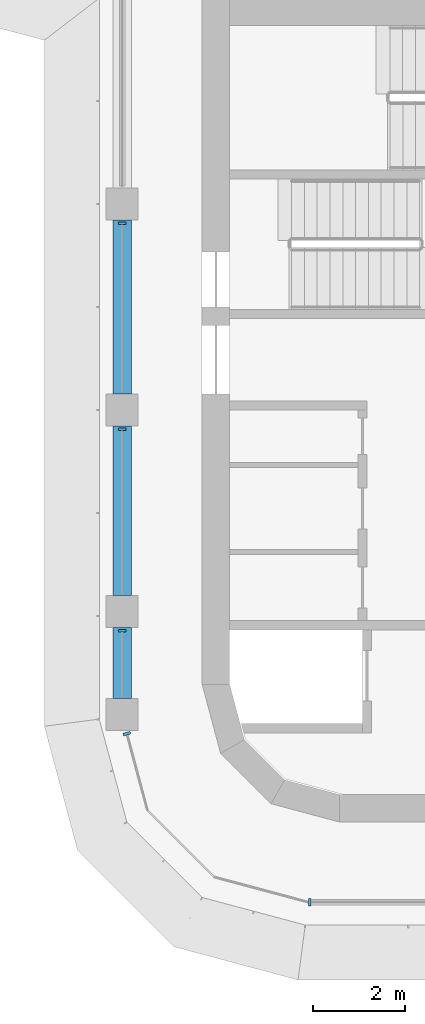
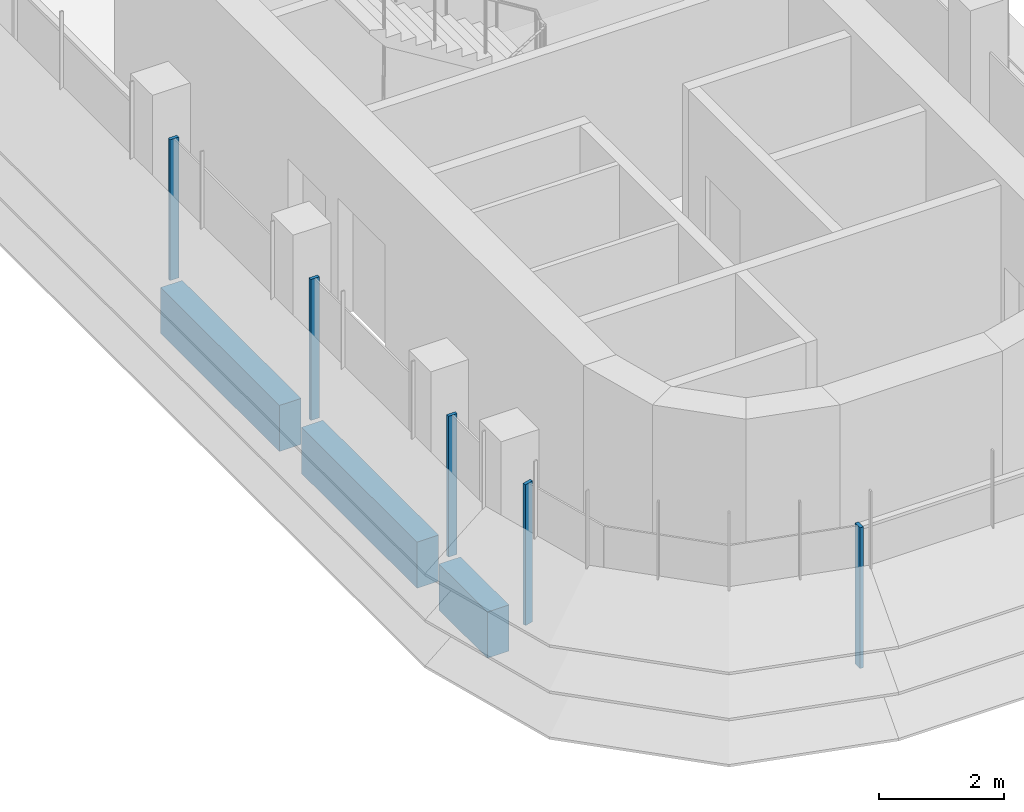
# One storey, part 2 of 19: 5 members, 3 beams, 3 elements without a shape of their own.
"""IFC4 building model written with IfcOpenShell, lengths in metres."""

from ifc_helpers import new_model, si_unit, direction, frame, origin, origin_2d, place, context, subcontext, project, spatial, polyline, rectangle, outline, extrude, source, transform, mapped, material, material_profile, profile_set, type_object, element, aggregate, save


model = new_model("IFC4")

# Units and contexts
model_context = context("Model", 3, precision=1e-05, world=origin(), true_north=direction((0.0, 1.0)))
body_context = subcontext(model_context, "Body", "Model", "MODEL_VIEW")
ifc_project = project(units=[si_unit("LENGTHUNIT", "METRE"), si_unit("AREAUNIT", "SQUARE_METRE"), si_unit("VOLUMEUNIT", "CUBIC_METRE"), si_unit("PLANEANGLEUNIT", "RADIAN"), si_unit("MASSUNIT", "GRAM", prefix="KILO")], contexts=[model_context])

# Site, building, storey
site_placement = place(None, origin())
site = spatial("IfcSite", under=ifc_project, at=site_placement, CompositionType="ELEMENT")
building_placement = place(site_placement, origin())
building = spatial("IfcBuilding", under=site, at=building_placement, Name="Zarbagh Exchange Tower", CompositionType="ELEMENT")
storey_placement = place(building_placement, frame((0.0, 0.0, 237.199951171875)))
storey = spatial("IfcBuildingStorey", under=building, at=storey_placement, Name="L58", CompositionType="ELEMENT", Elevation=237.199951171875)

# Beams
ifc_material_1 = material(Name="Concrete C50/60", Category="concrete")
ifc_material_profile = material_profile(ifc_material_1, rectangle(XDim=0.39990234375, YDim=0.89990234375, at=origin_2d()), Name="RC spandrel beam 400 x 900 C50/60")
ifc_profile_set = profile_set([ifc_material_profile], Name="Concrete C50/60")
beam_type = type_object("IfcBeamType", Name="RC spandrel beam 400 x 900 C50/60", PredefinedType="SPANDREL", material=ifc_profile_set)
beam_1_placement = place(storey_placement, frame((-6.25, -26.550048828125, -0.599853515625), z_axis=(0.0, 1.0, 0.0), x_axis=(-1.0, 0.0, 0.0)))
element("IfcBeam", 1, at=beam_1_placement, inside=storey, type_object=beam_type, Name="RC spandrel beam", PredefinedType="SPANDREL", context=body_context, shape_type="SweptSolid", body=[
    extrude(rectangle(XDim=0.39990234375, YDim=0.89990234375, at=origin_2d()), origin(), (0.0, 0.0, 1.0), 1.550048828125),
])
beam_2_placement = place(storey_placement, frame((-6.25, -24.300048828125, -0.599853515625), z_axis=(0.0, 1.0, 0.0), x_axis=(-1.0, 0.0, 0.0)))
element("IfcBeam", 2, at=beam_2_placement, inside=storey, type_object=beam_type, Name="RC spandrel beam", PredefinedType="SPANDREL", context=body_context, shape_type="SweptSolid", body=[
    extrude(rectangle(XDim=0.39990234375, YDim=0.89990234375, at=origin_2d()), origin(), (0.0, 0.0, 1.0), 3.699951171875),
])
beam_3_placement = place(storey_placement, frame((-6.25, -19.89990234375, -0.599853515625), z_axis=(0.0, 1.0, 0.0), x_axis=(-1.0, 0.0, 0.0)))
element("IfcBeam", 3, at=beam_3_placement, inside=storey, type_object=beam_type, Name="RC spandrel beam", PredefinedType="SPANDREL", context=body_context, shape_type="SweptSolid", body=[
    extrude(rectangle(XDim=0.39990234375, YDim=0.89990234375, at=origin_2d()), origin(), (0.0, 0.0, 1.0), 3.7998046875),
])

# Curtain wall, members
ifc_material_2 = material(Name="Anodised aluminium frame and glazing", Category="aluminium")
curtain_wall_type = type_object("IfcCurtainWallType", Name="CWB Ribbon glazing, upper zones", PredefinedType="NOTDEFINED", material=ifc_material_2)
curtain_wall_1_placement = place(storey_placement, origin())
curtain_wall_1 = element("IfcCurtainWall", 4, at=curtain_wall_1_placement, inside=storey, type_object=curtain_wall_type, Name="CWB53 curtain wall", PredefinedType="NOTDEFINED")
ifc_material_3 = material(Name="Anodised aluminium frame", Category="aluminium")
member_type = type_object("IfcMemberType", Name="MUB Mullion, anodised aluminium frame", PredefinedType="MULLION", material=ifc_material_3)
shared_shape = source(origin(), body_context, "Body", "SweptSolid", [
    extrude(outline(polyline([(0.0, -0.080078125), (0.06005859375, -0.080078125), (0.06005859375, 0.080078125), (0.0, 0.080078125), (0.0, -0.080078125)])), origin(), (0.0, 0.0, 1.0), 2.75),
])
placement = place(storey_placement, origin())
member_1 = element("IfcMember", 5, at=placement, type_object=member_type, Name="CWB53 mullion 2.1", PredefinedType="MULLION", context=body_context, shape_type="MappedRepresentation", body=[
    mapped(shared_shape, transform((-6.25, -16.14013671875, 0.0), x_axis=(0.0, -1.0, 0.0), y_axis=(1.0, 0.0, 0.0), z_axis=(0.0, 0.0, 1.0))),
])
member_2 = element("IfcMember", 6, at=placement, type_object=member_type, Name="CWB53 mullion 3.1", PredefinedType="MULLION", context=body_context, shape_type="MappedRepresentation", body=[
    mapped(shared_shape, transform((-6.25, -20.64013671875, 0.0), x_axis=(0.0, -1.0, 0.0), y_axis=(1.0, 0.0, 0.0), z_axis=(0.0, 0.0, 1.0))),
])
member_3 = element("IfcMember", 7, at=placement, type_object=member_type, Name="CWB53 mullion 4.1", PredefinedType="MULLION", context=body_context, shape_type="MappedRepresentation", body=[
    mapped(shared_shape, transform((-6.25, -25.0400390625, 0.0), x_axis=(0.0, -1.0, 0.0), y_axis=(1.0, 0.0, 0.0), z_axis=(0.0, 0.0, 1.0))),
])
aggregate(curtain_wall_1, [member_1, member_2, member_3])

# Curtain wall, member
curtain_wall_2_placement = place(storey_placement, origin())
curtain_wall_2 = element("IfcCurtainWall", 8, at=curtain_wall_2_placement, inside=storey, type_object=curtain_wall_type, Name="CWB54 curtain wall", PredefinedType="NOTDEFINED")
member_4 = element("IfcMember", 9, at=placement, type_object=member_type, Name="CWB54 mullion 1.1", PredefinedType="MULLION", context=body_context, shape_type="MappedRepresentation", body=[
    mapped(shared_shape, transform((-6.154541015625, -27.2900390625, 0.0), x_axis=(0.258824779902, -0.965924289636, 0.0), y_axis=(0.965924289636, 0.258824779902, 0.0), z_axis=(0.0, 0.0, 1.0))),
])
aggregate(curtain_wall_2, [member_4])

curtain_wall_3_placement = place(storey_placement, origin())
curtain_wall_3 = element("IfcCurtainWall", 10, at=curtain_wall_3_placement, inside=storey, type_object=curtain_wall_type, Name="CWB57 curtain wall", PredefinedType="NOTDEFINED")
member_5 = element("IfcMember", 11, at=placement, type_object=member_type, Name="CWB57 mullion 1.1", PredefinedType="MULLION", context=body_context, shape_type="MappedRepresentation", body=[
    mapped(shared_shape, transform((-2.18408203125, -31.0, 0.0), x_axis=(1.0, 0.0, 0.0), y_axis=(0.0, 1.0, 0.0), z_axis=(0.0, 0.0, 1.0))),
])
aggregate(curtain_wall_3, [member_5])

save(model, "model.ifc")
